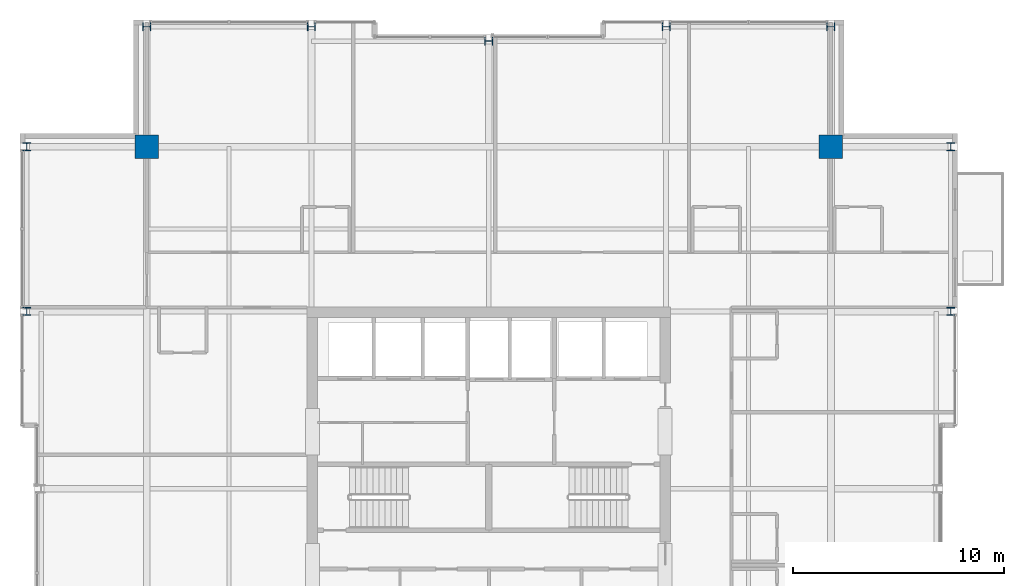
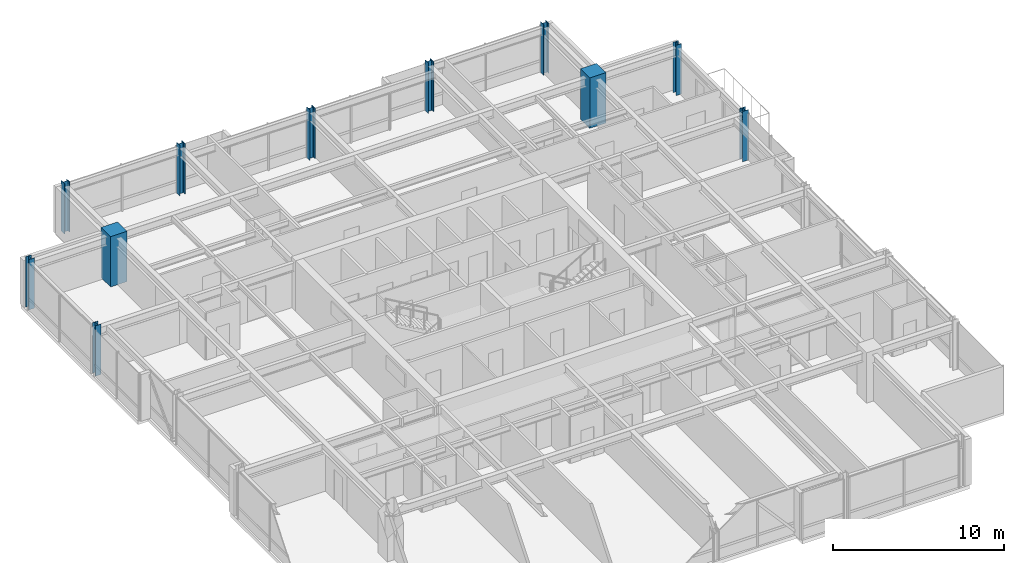
# One storey, part 2 of 33: 11 columns.
"""IFC4 building model written with IfcOpenShell, lengths in metres."""

from ifc_helpers import new_model, si_unit, direction, frame, origin, origin_2d, place, context, subcontext, project, spatial, rectangle, i_section, extrude, material, material_profile, profile_set, type_object, element, save


model = new_model("IFC4")

# Units and contexts
model_context = context("Model", 3, precision=1e-05, world=origin(), true_north=direction((0.0, 1.0)))
body_context = subcontext(model_context, "Body", "Model", "MODEL_VIEW")
ifc_project = project(units=[si_unit("LENGTHUNIT", "METRE"), si_unit("AREAUNIT", "SQUARE_METRE"), si_unit("VOLUMEUNIT", "CUBIC_METRE"), si_unit("PLANEANGLEUNIT", "RADIAN"), si_unit("MASSUNIT", "GRAM", prefix="KILO")], contexts=[model_context])

# Site, building, storey
site_placement = place(None, origin())
site = spatial("IfcSite", under=ifc_project, at=site_placement, CompositionType="ELEMENT")
building_placement = place(site_placement, origin())
building = spatial("IfcBuilding", under=site, at=building_placement, Name="Drelvath Grand Hotel", CompositionType="ELEMENT")
storey_placement = place(building_placement, frame((0.0, 0.0, 248.300048828125)))
storey = spatial("IfcBuildingStorey", under=building, at=storey_placement, Name="L65", CompositionType="ELEMENT", Elevation=248.300048828125)

# Columns
ifc_material_1 = material(Name="Concrete f'c 55 MPa", Category="concrete")
ifc_material_profile_1 = material_profile(ifc_material_1, rectangle(XDim=1.10009765625, YDim=1.10009765625, at=origin_2d()), Name="MC1100X1100")
ifc_profile_set_1 = profile_set([ifc_material_profile_1], Name="Concrete f'c 55 MPa")
column_type_1 = type_object("IfcColumnType", Name="Composite Mega Column MC1100X1100", PredefinedType="COLUMN", material=ifc_profile_set_1)
for number, where, z_axis, x_axis, name in (
    (1, (-16.199951171875, 43.199951171875, 0.0), (0.0, 0.0, 1.0), (1.0, 0.0, 0.0), "L65 Composite Mega Column MC-NW"),
    (2, (16.199951171875, 43.199951171875, 0.0), (0.0, 0.0, 1.0), (1.0, 0.0, 0.0), "L65 Composite Mega Column MC-NE"),
):
    element("IfcColumn", number, at=place(storey_placement, frame(where, z_axis=z_axis, x_axis=x_axis)), inside=storey, type_object=column_type_1, Name=name, PredefinedType="COLUMN", context=body_context, shape_type="SweptSolid", body=[
        extrude(rectangle(XDim=1.10009765625, YDim=1.10009765625, at=origin_2d()), origin(), (0.0, 0.0, 1.0), 3.599853515625),
    ])
ifc_material_2 = material(Name="Steel ASTM A913 Gr 65", Category="steel")
ifc_material_profile_2 = material_profile(ifc_material_2, i_section(OverallWidth=0.3740234375, OverallDepth=0.372314453125, WebThickness=0.016357421875, FlangeThickness=0.026123046875, FilletRadius=0.02490234375, at=origin_2d()), Name="W14X132")
ifc_profile_set_2 = profile_set([ifc_material_profile_2], Name="Steel ASTM A913 Gr 65")
column_type_2 = type_object("IfcColumnType", Name="Perimeter Steel Column W14X132", PredefinedType="COLUMN", material=ifc_profile_set_2)
for number, where, z_axis, x_axis, name in (
    (3, (-21.8798828125, 35.39990234375, 0.0), (0.0, 0.0, 1.0), (1.0, 0.0, 0.0), "L65 Structural Column TCW-F"),
    (4, (21.8798828125, 35.39990234375, 0.0), (0.0, 0.0, 1.0), (1.0, 0.0, 0.0), "L65 Structural Column TCE-F"),
    (5, (-21.8798828125, 43.199951171875, 0.0), (0.0, 0.0, 1.0), (1.0, 0.0, 0.0), "L65 Structural Column TCW-G"),
    (6, (21.8798828125, 43.199951171875, 0.0), (0.0, 0.0, 1.0), (1.0, 0.0, 0.0), "L65 Structural Column TCE-G"),
    (7, (-16.199951171875, 48.8798828125, 0.0), (0.0, 0.0, 1.0), (0.0, 1.0, 0.0), "L65 Structural Column TCN-3"),
    (8, (-8.39990234375, 48.8798828125, 0.0), (0.0, 0.0, 1.0), (0.0, 1.0, 0.0), "L65 Structural Column TCN-4"),
    (9, (0.0, 48.199951171875, 0.0), (0.0, 0.0, 1.0), (0.0, 1.0, 0.0), "L65 Structural Column TCN-5"),
    (10, (8.39990234375, 48.8798828125, 0.0), (0.0, 0.0, 1.0), (0.0, 1.0, 0.0), "L65 Structural Column TCN-6"),
    (11, (16.199951171875, 48.8798828125, 0.0), (0.0, 0.0, 1.0), (0.0, 1.0, 0.0), "L65 Structural Column TCN-7"),
):
    element("IfcColumn", number, at=place(storey_placement, frame(where, z_axis=z_axis, x_axis=x_axis)), inside=storey, type_object=column_type_2, Name=name, PredefinedType="COLUMN", context=body_context, shape_type="SweptSolid", body=[
        extrude(i_section(OverallWidth=0.3740234375, OverallDepth=0.372314453125, WebThickness=0.016357421875, FlangeThickness=0.026123046875, FilletRadius=0.02490234375, at=origin_2d()), origin(), (0.0, 0.0, 1.0), 3.596923828125),
    ])

save(model, "model.ifc")
